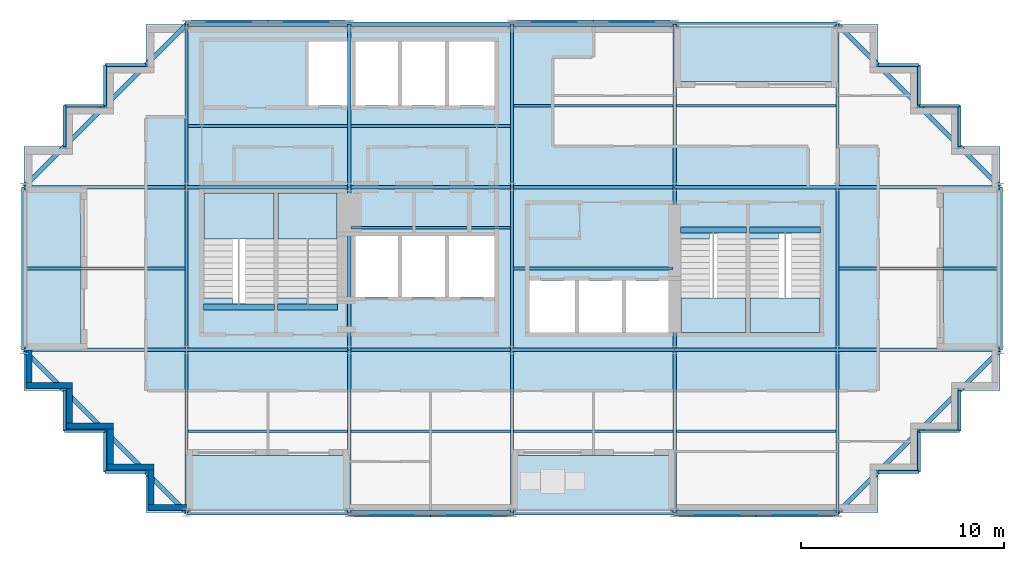
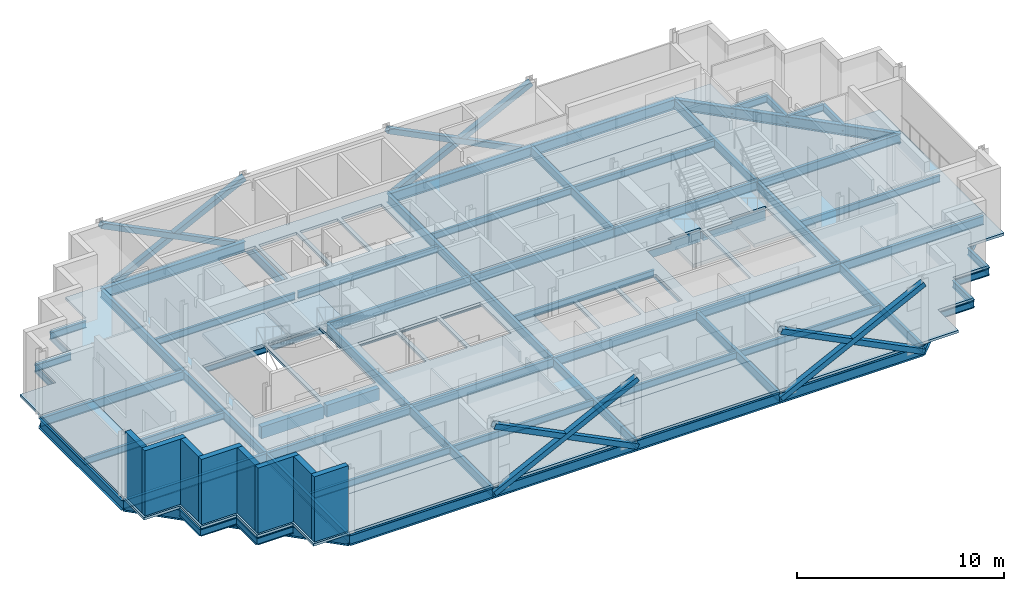
# One storey, part 3 of 10: 73 beams, 12 slabs, 8 members, 8 walls, 4 elements without a shape of their own.
"""IFC4 building model written with IfcOpenShell, lengths in metres."""

from ifc_helpers import new_model, si_unit, direction, frame, frame_2d, origin, origin_2d, place, context, subcontext, project, spatial, polyline, rectangle, hollow_rectangle, i_section, outline, extrude, material, layer, layer_set, material_profile, profile_set, type_object, element, aggregate, save


model = new_model("IFC4")

# Units and contexts
model_context = context("Model", 3, precision=1e-05, world=origin(), true_north=direction((0.0, 1.0)))
body_context = subcontext(model_context, "Body", "Model", "MODEL_VIEW")
ifc_project = project(units=[si_unit("LENGTHUNIT", "METRE"), si_unit("AREAUNIT", "SQUARE_METRE"), si_unit("VOLUMEUNIT", "CUBIC_METRE"), si_unit("PLANEANGLEUNIT", "RADIAN"), si_unit("MASSUNIT", "GRAM", prefix="KILO")], contexts=[model_context])

# Site, building, storey
site_placement = place(None, origin())
site = spatial("IfcSite", under=ifc_project, at=site_placement, CompositionType="ELEMENT")
building_placement = place(site_placement, origin())
building = spatial("IfcBuilding", under=site, at=building_placement, Name="Immortelle Media Tower", CompositionType="ELEMENT")
storey_placement = place(building_placement, frame((0.0, 0.0, 283.0)))
storey = spatial("IfcBuildingStorey", under=building, at=storey_placement, Name="L62", CompositionType="ELEMENT", Elevation=283.0)

# Members
ifc_material_1 = material(Name="Steel ASTM A500 Gr C", Category="steel")
ifc_material_profile_1 = material_profile(ifc_material_1, hollow_rectangle(XDim=0.304931640625, YDim=0.304931640625, WallThickness=0.009033203125, at=origin_2d()), Name="HSS12x12x3/8 brace")
ifc_profile_set_1 = profile_set([ifc_material_profile_1], Name="Steel ASTM A500 Gr C")
member_type = type_object("IfcMemberType", Name="HSS12x12x3/8 brace", PredefinedType="BRACE", material=ifc_profile_set_1)
for number, where, z_axis, x_axis, name in (
    (1, (16.0, -0.0625, -0.450927734375), (0.894427191, 0.0, 0.4472135955), (0.0, 1.0, 0.0), "Brace A/3-4 A"),
    (2, (16.0, -0.0625, 3.549072265625), (0.894427191, 0.0, -0.4472135955), (0.0, 1.0, 0.0), "Brace A/3-4 B"),
    (3, (32.0, -0.0625, -0.450927734375), (0.894427191, 0.0, 0.4472135955), (0.0, 1.0, 0.0), "Brace A/5-6 A"),
    (4, (32.0, -0.0625, 3.549072265625), (0.894427191, 0.0, -0.4472135955), (0.0, 1.0, 0.0), "Brace A/5-6 B"),
    (5, (32.0, 24.0625, -0.450927734375), (-0.894427191, 0.0, 0.4472135955), (0.0, -1.0, 0.0), "Brace D/4-5 A"),
    (6, (32.0, 24.0625, 3.549072265625), (-0.894427191, 0.0, -0.4472135955), (0.0, -1.0, 0.0), "Brace D/4-5 B"),
    (7, (16.0, 24.0625, -0.450927734375), (-0.894427191, 0.0, 0.4472135955), (0.0, -1.0, 0.0), "Brace D/2-3 A"),
    (8, (16.0, 24.0625, 3.549072265625), (-0.894427191, 0.0, -0.4472135955), (0.0, -1.0, 0.0), "Brace D/2-3 B"),
):
    element("IfcMember", number, at=place(storey_placement, frame(where, z_axis=z_axis, x_axis=x_axis)), inside=storey, type_object=member_type, Name=name, PredefinedType="BRACE", context=body_context, shape_type="SweptSolid", body=[
        extrude(hollow_rectangle(XDim=0.304931640625, YDim=0.304931640625, WallThickness=0.009033203125, at=origin_2d()), origin(), (0.0, 0.0, 1.0), 8.9443359375),
    ])

# Beams
ifc_material_2 = material(Name="Concrete C50/60", Category="concrete")
ifc_material_profile_2 = material_profile(ifc_material_2, rectangle(XDim=0.300048828125, YDim=0.699951171875, at=origin_2d()), Name="RC 300x700")
ifc_profile_set_2 = profile_set([ifc_material_profile_2], Name="Concrete C50/60")
beam_type_1 = type_object("IfcBeamType", Name="Stair trimmer beam 300 x 700", PredefinedType="BEAM", material=ifc_profile_set_2)
beam_1_placement = place(storey_placement, frame((8.830078125, 10.10498046875, -0.5), z_axis=(1.0, 0.0, 0.0), x_axis=(0.0, 1.0, 0.0)))
element("IfcBeam", 9, at=beam_1_placement, inside=storey, type_object=beam_type_1, Name="Stair trimmer beam SW1", PredefinedType="BEAM", context=body_context, shape_type="SweptSolid", body=[
    extrude(rectangle(XDim=0.300048828125, YDim=0.699951171875, at=origin_2d()), origin(), (0.0, 0.0, 1.0), 3.489990234375),
])
beam_2_placement = place(storey_placement, frame((12.47998046875, 10.10498046875, -0.5), z_axis=(1.0, 0.0, 0.0), x_axis=(0.0, 1.0, 0.0)))
element("IfcBeam", 10, at=beam_2_placement, inside=storey, type_object=beam_type_1, Name="Stair trimmer beam SW2", PredefinedType="BEAM", context=body_context, shape_type="SweptSolid", body=[
    extrude(rectangle(XDim=0.300048828125, YDim=0.699951171875, at=origin_2d()), origin(), (0.0, 0.0, 1.0), 2.93994140625),
])
beam_3_placement = place(storey_placement, frame((32.280029296875, 13.89501953125, -0.5), z_axis=(1.0, 0.0, 0.0), x_axis=(0.0, 1.0, 0.0)))
element("IfcBeam", 11, at=beam_3_placement, inside=storey, type_object=beam_type_1, Name="Stair trimmer beam SE1", PredefinedType="BEAM", context=body_context, shape_type="SweptSolid", body=[
    extrude(rectangle(XDim=0.300048828125, YDim=0.699951171875, at=origin_2d()), origin(), (0.0, 0.0, 1.0), 3.239990234375),
])
beam_4_placement = place(storey_placement, frame((35.679931640625, 13.89501953125, -0.5), z_axis=(1.0, 0.0, 0.0), x_axis=(0.0, 1.0, 0.0)))
element("IfcBeam", 12, at=beam_4_placement, inside=storey, type_object=beam_type_1, Name="Stair trimmer beam SE2", PredefinedType="BEAM", context=body_context, shape_type="SweptSolid", body=[
    extrude(rectangle(XDim=0.300048828125, YDim=0.699951171875, at=origin_2d()), origin(), (0.0, 0.0, 1.0), 3.489990234375),
])
ifc_material_3 = material(Name="Steel ASTM A992 Gr 50", Category="steel")
ifc_material_profile_3 = material_profile(ifc_material_3, i_section(OverallWidth=0.139892578125, OverallDepth=0.404052734375, WebThickness=0.007080078125, FlangeThickness=0.010986328125, at=origin_2d()), Name="W16x31")
ifc_profile_set_3 = profile_set([ifc_material_profile_3], Name="Steel ASTM A992 Gr 50")
beam_type_2 = type_object("IfcBeamType", Name="W16x31 secondary beam", PredefinedType="JOIST", material=ifc_profile_set_3)
for number, where, z_axis, x_axis, name in (
    (13, (8.08251953125, 4.0, -0.35205078125), (1.0, 0.0, 0.0), (0.0, 1.0, 0.0), "Beam A-B/2-3"),
    (14, (16.08251953125, 4.0, -0.35205078125), (1.0, 0.0, 0.0), (0.0, 1.0, 0.0), "Beam A-B/3-4"),
    (15, (24.08251953125, 4.0, -0.35205078125), (1.0, 0.0, 0.0), (0.0, 1.0, 0.0), "Beam A-B/4-5"),
    (16, (32.08251953125, 4.0, -0.35205078125), (1.0, 0.0, 0.0), (0.0, 1.0, 0.0), "Beam A-B/5-6"),
):
    element("IfcBeam", number, at=place(storey_placement, frame(where, z_axis=z_axis, x_axis=x_axis)), inside=storey, type_object=beam_type_2, Name=name, PredefinedType="JOIST", context=body_context, shape_type="SweptSolid", body=[
        extrude(i_section(OverallWidth=0.139892578125, OverallDepth=0.404052734375, WebThickness=0.007080078125, FlangeThickness=0.010986328125, at=origin_2d()), origin(), (0.0, 0.0, 1.0), 7.8349609375),
    ])
beam_5_placement = place(storey_placement, frame((0.114013671875, 12.0, -0.35205078125), z_axis=(1.0, 0.0, 0.0), x_axis=(0.0, 1.0, 0.0)))
element("IfcBeam", 17, at=beam_5_placement, inside=storey, type_object=beam_type_2, Name="Beam B-C/1-2", PredefinedType="JOIST", context=body_context, shape_type="SweptSolid", body=[
    extrude(i_section(OverallWidth=0.139892578125, OverallDepth=0.404052734375, WebThickness=0.007080078125, FlangeThickness=0.010986328125, at=origin_2d()), origin(), (0.0, 0.0, 1.0), 7.803466796875),
])
for number, where, z_axis, x_axis, name in (
    (18, (16.08251953125, 14.0, -0.35205078125), (1.0, 0.0, 0.0), (0.0, 1.0, 0.0), "Beam B-C/3-4"),
    (19, (24.08251953125, 12.0, -0.35205078125), (1.0, 0.0, 0.0), (0.0, 1.0, 0.0), "Beam B-C/4-5"),
):
    element("IfcBeam", number, at=place(storey_placement, frame(where, z_axis=z_axis, x_axis=x_axis)), inside=storey, type_object=beam_type_2, Name=name, PredefinedType="JOIST", context=body_context, shape_type="SweptSolid", body=[
        extrude(i_section(OverallWidth=0.139892578125, OverallDepth=0.404052734375, WebThickness=0.007080078125, FlangeThickness=0.010986328125, at=origin_2d()), origin(), (0.0, 0.0, 1.0), 7.8349609375),
    ])
beam_6_placement = place(storey_placement, frame((40.08251953125, 12.0, -0.35205078125), z_axis=(1.0, 0.0, 0.0), x_axis=(0.0, 1.0, 0.0)))
element("IfcBeam", 20, at=beam_6_placement, inside=storey, type_object=beam_type_2, Name="Beam B-C/6-7", PredefinedType="JOIST", context=body_context, shape_type="SweptSolid", body=[
    extrude(i_section(OverallWidth=0.139892578125, OverallDepth=0.404052734375, WebThickness=0.007080078125, FlangeThickness=0.010986328125, at=origin_2d()), origin(), (0.0, 0.0, 1.0), 7.803466796875),
])
for number, where, z_axis, x_axis, name in (
    (21, (8.08251953125, 19.0, -0.35205078125), (1.0, 0.0, 0.0), (0.0, 1.0, 0.0), "Beam C-D/2-3"),
    (22, (16.08251953125, 19.0, -0.35205078125), (1.0, 0.0, 0.0), (0.0, 1.0, 0.0), "Beam C-D/3-4"),
    (23, (24.08251953125, 20.0, -0.35205078125), (1.0, 0.0, 0.0), (0.0, 1.0, 0.0), "Beam C-D/4-5"),
    (24, (32.08251953125, 20.0, -0.35205078125), (1.0, 0.0, 0.0), (0.0, 1.0, 0.0), "Beam C-D/5-6"),
):
    element("IfcBeam", number, at=place(storey_placement, frame(where, z_axis=z_axis, x_axis=x_axis)), inside=storey, type_object=beam_type_2, Name=name, PredefinedType="JOIST", context=body_context, shape_type="SweptSolid", body=[
        extrude(i_section(OverallWidth=0.139892578125, OverallDepth=0.404052734375, WebThickness=0.007080078125, FlangeThickness=0.010986328125, at=origin_2d()), origin(), (0.0, 0.0, 1.0), 7.8349609375),
    ])
ifc_material_profile_4 = material_profile(ifc_material_3, i_section(OverallWidth=0.139892578125, OverallDepth=0.404052734375, WebThickness=0.007080078125, FlangeThickness=0.010986328125, at=origin_2d()), Name="W16x31")
ifc_profile_set_4 = profile_set([ifc_material_profile_4], Name="Steel ASTM A992 Gr 50")
beam_type_3 = type_object("IfcBeamType", Name="W16x31 serration edge beam", PredefinedType="SPANDREL", material=ifc_profile_set_4)
for number, where, z_axis, x_axis, name in (
    (25, (6.0, 2.0, -0.35205078125), (-1.0, 0.0, 0.0), (0.0, -1.0, 0.0), "Corner edge beam 1 at 1/A"),
    (26, (4.0, 2.0, -0.35205078125), (0.0, 1.0, 0.0), (-1.0, 0.0, 0.0), "Corner edge beam 2 at 1/A"),
    (27, (4.0, 4.0, -0.35205078125), (-1.0, 0.0, 0.0), (0.0, -1.0, 0.0), "Corner edge beam 3 at 1/A"),
    (28, (2.0, 4.0, -0.35205078125), (0.0, 1.0, 0.0), (-1.0, 0.0, 0.0), "Corner edge beam 4 at 1/A"),
    (29, (2.0, 18.0, -0.35205078125), (0.0, 1.0, 0.0), (-1.0, 0.0, 0.0), "Corner edge beam 1 at 1/D"),
    (30, (2.0, 20.0, -0.35205078125), (1.0, 0.0, 0.0), (0.0, 1.0, 0.0), "Corner edge beam 2 at 1/D"),
    (31, (4.0, 20.0, -0.35205078125), (0.0, 1.0, 0.0), (-1.0, 0.0, 0.0), "Corner edge beam 3 at 1/D"),
    (32, (4.0, 22.0, -0.35205078125), (1.0, 0.0, 0.0), (0.0, 1.0, 0.0), "Corner edge beam 4 at 1/D"),
    (33, (46.0, 6.0, -0.35205078125), (0.0, -1.0, 0.0), (1.0, 0.0, 0.0), "Corner edge beam 1 at 7/A"),
    (34, (46.0, 4.0, -0.35205078125), (-1.0, 0.0, 0.0), (0.0, -1.0, 0.0), "Corner edge beam 2 at 7/A"),
    (35, (44.0, 4.0, -0.35205078125), (0.0, -1.0, 0.0), (1.0, 0.0, 0.0), "Corner edge beam 3 at 7/A"),
    (36, (44.0, 2.0, -0.35205078125), (-1.0, 0.0, 0.0), (0.0, -1.0, 0.0), "Corner edge beam 4 at 7/A"),
    (37, (42.0, 22.0, -0.35205078125), (1.0, 0.0, 0.0), (0.0, 1.0, 0.0), "Corner edge beam 1 at 7/D"),
    (38, (44.0, 22.0, -0.35205078125), (0.0, -1.0, 0.0), (1.0, 0.0, 0.0), "Corner edge beam 2 at 7/D"),
    (39, (44.0, 20.0, -0.35205078125), (1.0, 0.0, 0.0), (0.0, 1.0, 0.0), "Corner edge beam 3 at 7/D"),
    (40, (46.0, 20.0, -0.35205078125), (0.0, -1.0, 0.0), (1.0, 0.0, 0.0), "Corner edge beam 4 at 7/D"),
):
    element("IfcBeam", number, at=place(storey_placement, frame(where, z_axis=z_axis, x_axis=x_axis)), inside=storey, type_object=beam_type_3, Name=name, PredefinedType="SPANDREL", context=body_context, shape_type="SweptSolid", body=[
        extrude(i_section(OverallWidth=0.139892578125, OverallDepth=0.404052734375, WebThickness=0.007080078125, FlangeThickness=0.010986328125, at=origin_2d()), origin(), (0.0, 0.0, 1.0), 2.0),
    ])
ifc_material_profile_5 = material_profile(ifc_material_3, i_section(OverallWidth=0.1650390625, OverallDepth=0.52587890625, WebThickness=0.009033203125, FlangeThickness=0.010986328125, at=origin_2d()), Name="W21x44")
ifc_profile_set_5 = profile_set([ifc_material_profile_5], Name="Steel ASTM A992 Gr 50")
beam_type_4 = type_object("IfcBeamType", Name="W21x44 girder", PredefinedType="BEAM", material=ifc_profile_set_5)
for number, where, z_axis, x_axis, name in (
    (41, (0.0, 8.0, -0.4130859375), (1.0, 0.0, 0.0), (0.0, 1.0, 0.0), "Girder B/1-2"),
    (42, (0.0, 16.0, -0.4130859375), (1.0, 0.0, 0.0), (0.0, 1.0, 0.0), "Girder C/1-2"),
    (43, (8.0, 0.0, -0.4130859375), (0.0, 1.0, 0.0), (-1.0, 0.0, 0.0), "Girder 2/A-B"),
    (44, (8.0, 8.0, -0.4130859375), (1.0, 0.0, 0.0), (0.0, 1.0, 0.0), "Girder B/2-3"),
    (45, (8.0, 8.0, -0.4130859375), (0.0, 1.0, 0.0), (-1.0, 0.0, 0.0), "Girder 2/B-C"),
    (46, (8.0, 16.0, -0.4130859375), (1.0, 0.0, 0.0), (0.0, 1.0, 0.0), "Girder C/2-3"),
    (47, (8.0, 16.0, -0.4130859375), (0.0, 1.0, 0.0), (-1.0, 0.0, 0.0), "Girder 2/C-D"),
    (48, (16.0, 0.0, -0.4130859375), (0.0, 1.0, 0.0), (-1.0, 0.0, 0.0), "Girder 3/A-B"),
    (49, (16.0, 8.0, -0.4130859375), (1.0, 0.0, 0.0), (0.0, 1.0, 0.0), "Girder B/3-4"),
    (50, (16.0, 8.0, -0.4130859375), (0.0, 1.0, 0.0), (-1.0, 0.0, 0.0), "Girder 3/B-C"),
    (51, (16.0, 16.0, -0.4130859375), (1.0, 0.0, 0.0), (0.0, 1.0, 0.0), "Girder C/3-4"),
    (52, (16.0, 16.0, -0.4130859375), (0.0, 1.0, 0.0), (-1.0, 0.0, 0.0), "Girder 3/C-D"),
    (53, (24.0, 0.0, -0.4130859375), (0.0, 1.0, 0.0), (-1.0, 0.0, 0.0), "Girder 4/A-B"),
    (54, (24.0, 8.0, -0.4130859375), (1.0, 0.0, 0.0), (0.0, 1.0, 0.0), "Girder B/4-5"),
    (55, (24.0, 8.0, -0.4130859375), (0.0, 1.0, 0.0), (-1.0, 0.0, 0.0), "Girder 4/B-C"),
    (56, (24.0, 16.0, -0.4130859375), (1.0, 0.0, 0.0), (0.0, 1.0, 0.0), "Girder C/4-5"),
    (57, (24.0, 16.0, -0.4130859375), (0.0, 1.0, 0.0), (-1.0, 0.0, 0.0), "Girder 4/C-D"),
    (58, (32.0, 0.0, -0.4130859375), (0.0, 1.0, 0.0), (-1.0, 0.0, 0.0), "Girder 5/A-B"),
    (59, (32.0, 8.0, -0.4130859375), (1.0, 0.0, 0.0), (0.0, 1.0, 0.0), "Girder B/5-6"),
    (60, (32.0, 8.0, -0.4130859375), (0.0, 1.0, 0.0), (-1.0, 0.0, 0.0), "Girder 5/B-C"),
    (61, (32.0, 16.0, -0.4130859375), (1.0, 0.0, 0.0), (0.0, 1.0, 0.0), "Girder C/5-6"),
    (62, (32.0, 16.0, -0.4130859375), (0.0, 1.0, 0.0), (-1.0, 0.0, 0.0), "Girder 5/C-D"),
    (63, (40.0, 0.0, -0.4130859375), (0.0, 1.0, 0.0), (-1.0, 0.0, 0.0), "Girder 6/A-B"),
    (64, (40.0, 8.0, -0.4130859375), (1.0, 0.0, 0.0), (0.0, 1.0, 0.0), "Girder B/6-7"),
    (65, (40.0, 8.0, -0.4130859375), (0.0, 1.0, 0.0), (-1.0, 0.0, 0.0), "Girder 6/B-C"),
    (66, (40.0, 16.0, -0.4130859375), (1.0, 0.0, 0.0), (0.0, 1.0, 0.0), "Girder C/6-7"),
    (67, (40.0, 16.0, -0.4130859375), (0.0, 1.0, 0.0), (-1.0, 0.0, 0.0), "Girder 6/C-D"),
):
    element("IfcBeam", number, at=place(storey_placement, frame(where, z_axis=z_axis, x_axis=x_axis)), inside=storey, type_object=beam_type_4, Name=name, PredefinedType="BEAM", context=body_context, shape_type="SweptSolid", body=[
        extrude(i_section(OverallWidth=0.1650390625, OverallDepth=0.52587890625, WebThickness=0.009033203125, FlangeThickness=0.010986328125, at=origin_2d()), origin(), (0.0, 0.0, 1.0), 8.0),
    ])
ifc_material_profile_6 = material_profile(ifc_material_3, i_section(OverallWidth=0.22802734375, OverallDepth=0.60205078125, WebThickness=0.010986328125, FlangeThickness=0.014892578125, at=origin_2d()), Name="W24x68")
ifc_profile_set_6 = profile_set([ifc_material_profile_6], Name="Steel ASTM A992 Gr 50")
beam_type_5 = type_object("IfcBeamType", Name="W24x68 perimeter girder", PredefinedType="SPANDREL", material=ifc_profile_set_6)
for number, where, z_axis, x_axis, name in (
    (68, (0.0, 8.0, -0.450927734375), (0.0, 1.0, 0.0), (-1.0, 0.0, 0.0), "Girder 1/B-C"),
    (69, (8.0, 0.0, -0.450927734375), (1.0, 0.0, 0.0), (0.0, 1.0, 0.0), "Girder A/2-3"),
    (70, (8.0, 24.0, -0.450927734375), (1.0, 0.0, 0.0), (0.0, 1.0, 0.0), "Girder D/2-3"),
    (71, (16.0, 0.0, -0.450927734375), (1.0, 0.0, 0.0), (0.0, 1.0, 0.0), "Girder A/3-4"),
    (72, (16.0, 24.0, -0.450927734375), (1.0, 0.0, 0.0), (0.0, 1.0, 0.0), "Girder D/3-4"),
    (73, (24.0, 0.0, -0.450927734375), (1.0, 0.0, 0.0), (0.0, 1.0, 0.0), "Girder A/4-5"),
    (74, (24.0, 24.0, -0.450927734375), (1.0, 0.0, 0.0), (0.0, 1.0, 0.0), "Girder D/4-5"),
    (75, (32.0, 0.0, -0.450927734375), (1.0, 0.0, 0.0), (0.0, 1.0, 0.0), "Girder A/5-6"),
    (76, (32.0, 24.0, -0.450927734375), (1.0, 0.0, 0.0), (0.0, 1.0, 0.0), "Girder D/5-6"),
    (77, (48.0, 8.0, -0.450927734375), (0.0, 1.0, 0.0), (-1.0, 0.0, 0.0), "Girder 7/B-C"),
):
    element("IfcBeam", number, at=place(storey_placement, frame(where, z_axis=z_axis, x_axis=x_axis)), inside=storey, type_object=beam_type_5, Name=name, PredefinedType="SPANDREL", context=body_context, shape_type="SweptSolid", body=[
        extrude(i_section(OverallWidth=0.22802734375, OverallDepth=0.60205078125, WebThickness=0.010986328125, FlangeThickness=0.014892578125, at=origin_2d()), origin(), (0.0, 0.0, 1.0), 8.0),
    ])
ifc_material_profile_7 = material_profile(ifc_material_3, i_section(OverallWidth=0.22900390625, OverallDepth=0.612060546875, WebThickness=0.011962890625, FlangeThickness=0.02001953125, at=origin_2d()), Name="W24x84")
ifc_profile_set_7 = profile_set([ifc_material_profile_7], Name="Steel ASTM A992 Gr 50")
beam_type_6 = type_object("IfcBeamType", Name="W24x84 corner girder", PredefinedType="SPANDREL", material=ifc_profile_set_7)
for number, where, z_axis, x_axis, name in (
    (78, (8.0, 0.0, -0.4560546875), (-0.707106781187, 0.707106781187, 0.0), (-0.707106781187, -0.707106781187, 0.0), "Corner girder at 1/A"),
    (79, (0.0, 16.0, -0.4560546875), (0.707106781187, 0.707106781187, 0.0), (-0.707106781187, 0.707106781187, 0.0), "Corner girder at 1/D"),
    (80, (48.0, 8.0, -0.4560546875), (-0.707106781187, -0.707106781187, 0.0), (0.707106781187, -0.707106781187, 0.0), "Corner girder at 7/A"),
    (81, (40.0, 24.0, -0.4560546875), (0.707106781187, -0.707106781187, 0.0), (0.707106781187, 0.707106781187, 0.0), "Corner girder at 7/D"),
):
    element("IfcBeam", number, at=place(storey_placement, frame(where, z_axis=z_axis, x_axis=x_axis)), inside=storey, type_object=beam_type_6, Name=name, PredefinedType="SPANDREL", context=body_context, shape_type="SweptSolid", body=[
        extrude(i_section(OverallWidth=0.22900390625, OverallDepth=0.612060546875, WebThickness=0.011962890625, FlangeThickness=0.02001953125, at=origin_2d()), origin(), (0.0, 0.0, 1.0), 11.313720703125),
    ])

# Slabs
ifc_material_4 = material(Name="Concrete C50/60 composite deck", Category="concrete")
ifc_layer_1 = layer(ifc_material_4, 0.14990234375)
ifc_layer_set_1 = layer_set([ifc_layer_1], Name="Concrete C50/60 composite deck")
slab_type_1 = type_object("IfcSlabType", Name="Balcony slab 150", PredefinedType="FLOOR", material=ifc_layer_set_1)
slab_1_placement = place(storey_placement, frame((0.0, 0.0, -0.14990234375)))
element("IfcSlab", 82, at=slab_1_placement, inside=storey, type_object=slab_type_1, Name="Balcony slab L62 S0", PredefinedType="FLOOR", context=body_context, shape_type="SweptSolid", body=[
    extrude(outline(polyline([(16.0, 0.0), (16.0, 2.800048828125), (8.0, 2.800048828125), (8.0, 0.0), (16.0, 0.0)])), origin(), (0.0, 0.0, 1.0), 0.14990234375),
])
slab_2_placement = place(storey_placement, frame((0.0, 0.0, -0.14990234375)))
element("IfcSlab", 83, at=slab_2_placement, inside=storey, type_object=slab_type_1, Name="Balcony slab L62 S2", PredefinedType="FLOOR", context=body_context, shape_type="SweptSolid", body=[
    extrude(outline(polyline([(32.0, 0.0), (32.0, 2.800048828125), (24.0, 2.800048828125), (24.0, 0.0), (32.0, 0.0)])), origin(), (0.0, 0.0, 1.0), 0.14990234375),
])
slab_3_placement = place(storey_placement, frame((0.0, 0.0, -0.14990234375)))
element("IfcSlab", 84, at=slab_3_placement, inside=storey, type_object=slab_type_1, Name="Balcony slab L62 E0", PredefinedType="FLOOR", context=body_context, shape_type="SweptSolid", body=[
    extrude(outline(polyline([(48.0, 8.0), (48.0, 16.0), (45.199951171875, 16.0), (45.199951171875, 8.0), (48.0, 8.0)])), origin(), (0.0, 0.0, 1.0), 0.14990234375),
])
slab_4_placement = place(storey_placement, frame((0.0, 0.0, -0.14990234375)))
element("IfcSlab", 85, at=slab_4_placement, inside=storey, type_object=slab_type_1, Name="Balcony slab L62 N0", PredefinedType="FLOOR", context=body_context, shape_type="SweptSolid", body=[
    extrude(outline(polyline([(40.0, 21.199951171875), (40.0, 24.0), (32.0, 24.0), (32.0, 21.199951171875), (40.0, 21.199951171875)])), origin(), (0.0, 0.0, 1.0), 0.14990234375),
])
slab_5_placement = place(storey_placement, frame((0.0, 0.0, -0.14990234375)))
element("IfcSlab", 86, at=slab_5_placement, inside=storey, type_object=slab_type_1, Name="Balcony slab L62 W0", PredefinedType="FLOOR", context=body_context, shape_type="SweptSolid", body=[
    extrude(outline(polyline([(2.800048828125, 8.0), (2.800048828125, 16.0), (0.0, 16.0), (0.0, 8.0), (2.800048828125, 8.0)])), origin(), (0.0, 0.0, 1.0), 0.14990234375),
])
ifc_layer_2 = layer(ifc_material_2, 0.14990234375)
ifc_layer_set_2 = layer_set([ifc_layer_2], Name="Concrete C50/60")
slab_type_2 = type_object("IfcSlabType", Name="Composite floor slab 150", PredefinedType="FLOOR", material=ifc_layer_set_2)
slab_6_placement = place(storey_placement, frame((0.0, 0.0, -0.14990234375)))
element("IfcSlab", 87, at=slab_6_placement, inside=storey, type_object=slab_type_2, Name="Floor slab L62", PredefinedType="FLOOR", context=body_context, shape_type="SweptSolid", body=[
    extrude(outline(polyline([(6.0, 0.0), (6.0, 2.0), (4.0, 2.0), (4.0, 4.0), (2.0, 4.0), (2.0, 6.0), (0.0, 6.0), (0.0, 8.0), (2.800048828125, 8.0), (2.800048828125, 16.0), (0.0, 16.0), (0.0, 18.0), (2.0, 18.0), (2.0, 20.0), (4.0, 20.0), (4.0, 22.0), (6.0, 22.0), (6.0, 24.0), (8.0, 24.0), (8.0, 8.0), (24.0, 8.0), (40.0, 8.0), (40.0, 16.0), (24.0, 16.0), (24.0, 21.199951171875), (24.0, 24.0), (32.0, 24.0), (32.0, 21.199951171875), (40.0, 21.199951171875), (40.0, 24.0), (42.0, 24.0), (42.0, 22.0), (44.0, 22.0), (44.0, 20.0), (46.0, 20.0), (46.0, 18.0), (48.0, 18.0), (48.0, 16.0), (45.199951171875, 16.0), (45.199951171875, 8.0), (48.0, 8.0), (48.0, 6.0), (46.0, 6.0), (46.0, 4.0), (44.0, 4.0), (44.0, 2.0), (42.0, 2.0), (42.0, 0.0), (32.0, 0.0), (32.0, 2.800048828125), (24.0, 2.800048828125), (24.0, 0.0), (16.0, 0.0), (16.0, 2.800048828125), (8.0, 2.800048828125), (8.0, 0.0), (6.0, 0.0)])), origin(), (0.0, 0.0, 1.0), 0.14990234375),
])
ifc_layer_3 = layer(ifc_material_2, 0.14990234375)
ifc_layer_set_3 = layer_set([ifc_layer_3], Name="Concrete C50/60")
slab_type_3 = type_object("IfcSlabType", Name="Core floor slab 150", PredefinedType="FLOOR", material=ifc_layer_set_3)
slab_7_placement = place(storey_placement, frame((0.0, 0.0, -0.14990234375)))
element("IfcSlab", 88, at=slab_7_placement, inside=storey, type_object=slab_type_3, Name="Core floor SW", PredefinedType="FLOOR", context=body_context, shape_type="SweptSolid", body=[
    extrude(outline(polyline([(8.0, 8.0), (24.0, 8.0), (24.0, 24.0), (8.0, 24.0), (8.0, 8.0)]), holes=[polyline([(14.0, 20.0), (16.10009765625, 20.0), (16.10009765625, 23.14990234375), (14.0, 23.14990234375), (14.0, 20.0)]), polyline([(16.300048828125, 20.0), (18.39990234375, 20.0), (18.39990234375, 23.14990234375), (16.300048828125, 23.14990234375), (16.300048828125, 20.0)]), polyline([(18.60009765625, 20.0), (20.699951171875, 20.0), (20.699951171875, 23.14990234375), (18.60009765625, 23.14990234375), (18.60009765625, 20.0)]), polyline([(20.89990234375, 20.0), (23.14990234375, 20.0), (23.14990234375, 23.14990234375), (20.89990234375, 23.14990234375), (20.89990234375, 20.0)]), polyline([(16.300048828125, 10.60009765625), (18.39990234375, 10.60009765625), (18.39990234375, 13.60009765625), (16.300048828125, 13.60009765625), (16.300048828125, 10.60009765625)]), polyline([(18.60009765625, 10.60009765625), (20.699951171875, 10.60009765625), (20.699951171875, 13.60009765625), (18.60009765625, 13.60009765625), (18.60009765625, 10.60009765625)]), polyline([(20.89990234375, 10.60009765625), (23.14990234375, 10.60009765625), (23.14990234375, 13.60009765625), (20.89990234375, 13.60009765625), (20.89990234375, 10.60009765625)]), polyline([(8.85009765625, 15.699951171875), (12.300048828125, 15.699951171875), (12.300048828125, 10.27001953125), (10.25, 10.27001953125), (10.25, 10.56005859375), (8.85009765625, 10.56005859375), (8.85009765625, 15.699951171875)]), polyline([(12.5, 15.699951171875), (15.39990234375, 15.699951171875), (15.39990234375, 10.27001953125), (13.89990234375, 10.27001953125), (13.89990234375, 10.56005859375), (12.5, 10.56005859375), (12.5, 15.699951171875)])]), origin(), (0.0, 0.0, 1.0), 0.14990234375),
])
slab_8_placement = place(storey_placement, frame((0.0, 0.0, -0.14990234375)))
element("IfcSlab", 89, at=slab_8_placement, inside=storey, type_object=slab_type_3, Name="Core floor SE", PredefinedType="FLOOR", context=body_context, shape_type="SweptSolid", body=[
    extrude(outline(polyline([(24.0, 8.0), (40.0, 8.0), (40.0, 16.0), (24.0, 16.0), (24.0, 8.0)]), holes=[polyline([(24.85009765625, 8.85009765625), (27.10009765625, 8.85009765625), (27.10009765625, 11.39990234375), (24.85009765625, 11.39990234375), (24.85009765625, 8.85009765625)]), polyline([(27.300048828125, 8.85009765625), (29.39990234375, 8.85009765625), (29.39990234375, 11.39990234375), (27.300048828125, 11.39990234375), (27.300048828125, 8.85009765625)]), polyline([(29.60009765625, 8.85009765625), (31.699951171875, 8.85009765625), (31.699951171875, 11.39990234375), (29.60009765625, 11.39990234375), (29.60009765625, 8.85009765625)]), polyline([(35.5, 13.72998046875), (35.5, 8.85009765625), (32.300048828125, 8.85009765625), (32.300048828125, 13.43994140625), (33.699951171875, 13.43994140625), (33.699951171875, 13.72998046875), (35.5, 13.72998046875)]), polyline([(39.14990234375, 13.72998046875), (39.14990234375, 8.85009765625), (35.699951171875, 8.85009765625), (35.699951171875, 13.43994140625), (37.10009765625, 13.43994140625), (37.10009765625, 13.72998046875), (39.14990234375, 13.72998046875)])]), origin(), (0.0, 0.0, 1.0), 0.14990234375),
])

# Stair, slab
stair_type = type_object("IfcStairType", Name="Stair with flights", PredefinedType="DOUBLE_RETURN_STAIR", material=ifc_material_3)
stair_1_placement = place(storey_placement, origin())
stair_1 = element("IfcStair", 90, at=stair_1_placement, inside=storey, type_object=stair_type, Name="Exit stair SW1", PredefinedType="DOUBLE_RETURN_STAIR")
ifc_material_5 = material(Name="Steel ASTM A572 Gr 50", Category="steel")
ifc_layer_4 = layer(ifc_material_5, 0.199951171875)
ifc_layer_set_4 = layer_set([ifc_layer_4], Name="Steel ASTM A572 Gr 50")
slab_type_4 = type_object("IfcSlabType", Name="Stair landing 200", PredefinedType="LANDING", material=ifc_layer_set_4)
slab_9_placement = place(storey_placement, frame((0.0, 0.0, 1.713134765625)))
slab_9 = element("IfcSlab", 91, at=slab_9_placement, type_object=slab_type_4, Name="ST SW1 landing 1", PredefinedType="LANDING", context=body_context, shape_type="SweptSolid", body=[
    extrude(outline(polyline([(8.85009765625, 13.43994140625), (12.300048828125, 13.43994140625), (12.300048828125, 15.699951171875), (8.85009765625, 15.699951171875), (8.85009765625, 13.43994140625)])), origin(), (0.0, 0.0, 1.0), 0.199951171875),
])
aggregate(stair_1, [slab_9])

stair_2_placement = place(storey_placement, origin())
stair_2 = element("IfcStair", 92, at=stair_2_placement, inside=storey, type_object=stair_type, Name="Exit stair SW2", PredefinedType="DOUBLE_RETURN_STAIR")
slab_10_placement = place(storey_placement, frame((0.0, 0.0, 1.713134765625)))
slab_10 = element("IfcSlab", 93, at=slab_10_placement, type_object=slab_type_4, Name="ST SW2 landing 1", PredefinedType="LANDING", context=body_context, shape_type="SweptSolid", body=[
    extrude(outline(polyline([(12.5, 13.43994140625), (15.39990234375, 13.43994140625), (15.39990234375, 15.699951171875), (12.5, 15.699951171875), (12.5, 13.43994140625)])), origin(), (0.0, 0.0, 1.0), 0.199951171875),
])
aggregate(stair_2, [slab_10])

stair_3_placement = place(storey_placement, origin())
stair_3 = element("IfcStair", 94, at=stair_3_placement, inside=storey, type_object=stair_type, Name="Exit stair SE1", PredefinedType="DOUBLE_RETURN_STAIR")
slab_11_placement = place(storey_placement, frame((0.0, 0.0, 1.713134765625)))
slab_11 = element("IfcSlab", 95, at=slab_11_placement, type_object=slab_type_4, Name="ST SE1 landing 1", PredefinedType="LANDING", context=body_context, shape_type="SweptSolid", body=[
    extrude(outline(polyline([(32.300048828125, 8.85009765625), (35.5, 8.85009765625), (35.5, 10.56005859375), (32.300048828125, 10.56005859375), (32.300048828125, 8.85009765625)])), origin(), (0.0, 0.0, 1.0), 0.199951171875),
])
aggregate(stair_3, [slab_11])

stair_4_placement = place(storey_placement, origin())
stair_4 = element("IfcStair", 96, at=stair_4_placement, inside=storey, type_object=stair_type, Name="Exit stair SE2", PredefinedType="DOUBLE_RETURN_STAIR")
slab_12_placement = place(storey_placement, frame((0.0, 0.0, 1.713134765625)))
slab_12 = element("IfcSlab", 97, at=slab_12_placement, type_object=slab_type_4, Name="ST SE2 landing 1", PredefinedType="LANDING", context=body_context, shape_type="SweptSolid", body=[
    extrude(outline(polyline([(35.699951171875, 8.85009765625), (39.14990234375, 8.85009765625), (39.14990234375, 10.56005859375), (35.699951171875, 10.56005859375), (35.699951171875, 8.85009765625)])), origin(), (0.0, 0.0, 1.0), 0.199951171875),
])
aggregate(stair_4, [slab_12])

# Walls
ifc_material_6 = material(Name="Pale aluminium cladding panel", Category="aluminium")
ifc_layer_5 = layer(ifc_material_6, 0.030029296875)
ifc_material_7 = material(Name="Steel ASTM A653 SS Gr 50 stud frame with mineral wool", Category="steel")
ifc_layer_6 = layer(ifc_material_7, 0.257568359375)
ifc_material_8 = material(Name="Moisture-resistant gypsum board", Category="gypsum")
ifc_layer_7 = layer(ifc_material_8, 0.012451171875)
ifc_layer_set_5 = layer_set([ifc_layer_5, ifc_layer_6, ifc_layer_7], Name="Steel ASTM A653 SS Gr 50 stud frame with mineral wool")
wall_type = type_object("IfcWallType", Name="Facade wall 300", PredefinedType="SOLIDWALL", material=ifc_layer_set_5)
wall_1_placement = place(storey_placement, frame((0.10009765625, 6.25, 0.0), z_axis=(0.0, 0.0, 1.0), x_axis=(1.0, 0.0, 0.0)))
element("IfcWall", 98, at=wall_1_placement, inside=storey, type_object=wall_type, Name="Facade wall L62 S0", PredefinedType="SOLIDWALL", context=body_context, shape_type="SweptSolid", body=[
    extrude(rectangle(XDim=2.2998046875, YDim=0.300048828125, at=frame_2d((1.14990234375, 0.0))), origin(), (0.0, 0.0, 1.0), 3.85009765625),
])
wall_2_placement = place(storey_placement, frame((2.25, 6.10009765625, 0.0), z_axis=(0.0, 0.0, 1.0), x_axis=(0.0, -1.0, 0.0)))
element("IfcWall", 99, at=wall_2_placement, inside=storey, type_object=wall_type, Name="Facade wall L62 W1", PredefinedType="SOLIDWALL", context=body_context, shape_type="SweptSolid", body=[
    extrude(rectangle(XDim=1.7001953125, YDim=0.300048828125, at=frame_2d((0.85009765625, 0.0))), origin(), (0.0, 0.0, 1.0), 3.85009765625),
])
wall_3_placement = place(storey_placement, frame((2.10009765625, 4.25, 0.0), z_axis=(0.0, 0.0, 1.0), x_axis=(1.0, 0.0, 0.0)))
element("IfcWall", 100, at=wall_3_placement, inside=storey, type_object=wall_type, Name="Facade wall L62 S2", PredefinedType="SOLIDWALL", context=body_context, shape_type="SweptSolid", body=[
    extrude(rectangle(XDim=2.2998046875, YDim=0.300048828125, at=frame_2d((1.14990234375, 0.0))), origin(), (0.0, 0.0, 1.0), 3.85009765625),
])
wall_4_placement = place(storey_placement, frame((4.25, 4.10009765625, 0.0), z_axis=(0.0, 0.0, 1.0), x_axis=(0.0, -1.0, 0.0)))
element("IfcWall", 101, at=wall_4_placement, inside=storey, type_object=wall_type, Name="Facade wall L62 W3", PredefinedType="SOLIDWALL", context=body_context, shape_type="SweptSolid", body=[
    extrude(rectangle(XDim=1.7001953125, YDim=0.300048828125, at=frame_2d((0.85009765625, 0.0))), origin(), (0.0, 0.0, 1.0), 3.85009765625),
])
wall_5_placement = place(storey_placement, frame((4.10009765625, 2.25, 0.0), z_axis=(0.0, 0.0, 1.0), x_axis=(1.0, 0.0, 0.0)))
element("IfcWall", 102, at=wall_5_placement, inside=storey, type_object=wall_type, Name="Facade wall L62 S4", PredefinedType="SOLIDWALL", context=body_context, shape_type="SweptSolid", body=[
    extrude(rectangle(XDim=2.2998046875, YDim=0.300048828125, at=frame_2d((1.14990234375, 0.0))), origin(), (0.0, 0.0, 1.0), 3.85009765625),
])
wall_6_placement = place(storey_placement, frame((6.25, 2.10009765625, 0.0), z_axis=(0.0, 0.0, 1.0), x_axis=(0.0, -1.0, 0.0)))
element("IfcWall", 103, at=wall_6_placement, inside=storey, type_object=wall_type, Name="Facade wall L62 W5", PredefinedType="SOLIDWALL", context=body_context, shape_type="SweptSolid", body=[
    extrude(rectangle(XDim=1.7001953125, YDim=0.300048828125, at=frame_2d((0.85009765625, 0.0))), origin(), (0.0, 0.0, 1.0), 3.85009765625),
])
wall_7_placement = place(storey_placement, frame((6.10009765625, 0.25, 0.0), z_axis=(0.0, 0.0, 1.0), x_axis=(1.0, 0.0, 0.0)))
element("IfcWall", 104, at=wall_7_placement, inside=storey, type_object=wall_type, Name="Facade wall L62 S6", PredefinedType="SOLIDWALL", context=body_context, shape_type="SweptSolid", body=[
    extrude(rectangle(XDim=1.89990234375, YDim=0.300048828125, at=frame_2d((0.949951171875, 0.0))), origin(), (0.0, 0.0, 1.0), 3.85009765625),
])
wall_8_placement = place(storey_placement, frame((0.25, 8.0, 0.0), z_axis=(0.0, 0.0, 1.0), x_axis=(0.0, -1.0, 0.0)))
element("IfcWall", 105, at=wall_8_placement, inside=storey, type_object=wall_type, Name="Facade wall L62 W27", PredefinedType="SOLIDWALL", context=body_context, shape_type="SweptSolid", body=[
    extrude(rectangle(XDim=1.60009765625, YDim=0.300048828125, at=frame_2d((0.800048828125, 0.0))), origin(), (0.0, 0.0, 1.0), 3.85009765625),
])

save(model, "model.ifc")
